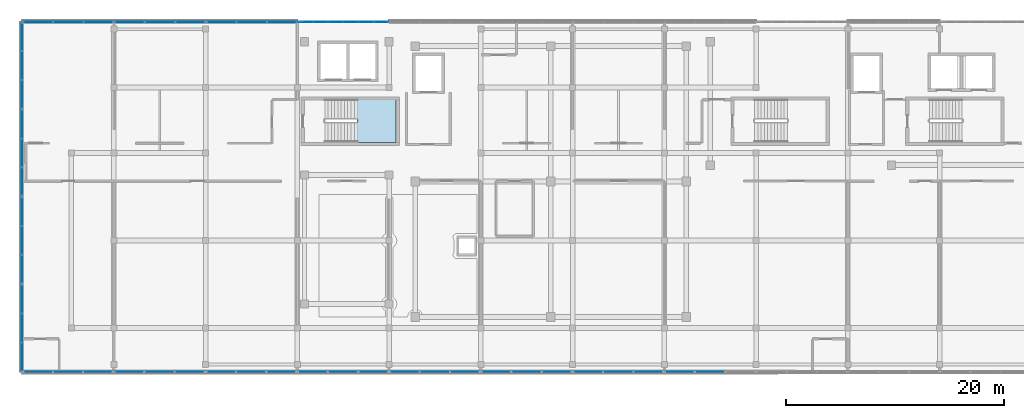
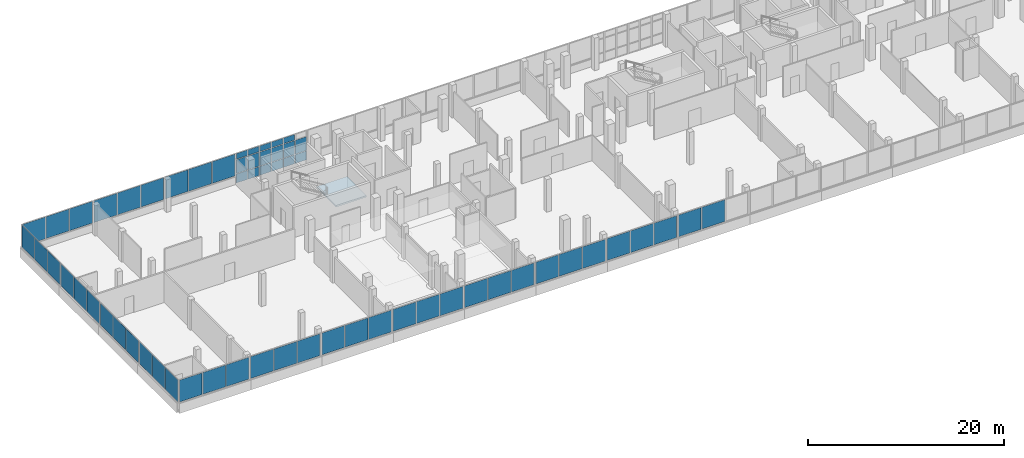
# One storey, part 50 of 66: 61 plates, 1 slab, 17 elements without a shape of their own.
"""IFC4 building model written with IfcOpenShell, lengths in metres."""

from ifc_helpers import new_model, si_unit, direction, frame, origin, origin_2d, place, context, subcontext, project, spatial, polyline, rectangle, outline, extrude, material, layer, layer_set, type_object, element, aggregate, save


model = new_model("IFC4")

# Units and contexts
model_context = context("Model", 3, precision=1e-05, world=origin(), true_north=direction((0.0, 1.0)))
body_context = subcontext(model_context, "Body", "Model", "MODEL_VIEW")
ifc_project = project(units=[si_unit("LENGTHUNIT", "METRE"), si_unit("AREAUNIT", "SQUARE_METRE"), si_unit("VOLUMEUNIT", "CUBIC_METRE"), si_unit("PLANEANGLEUNIT", "RADIAN"), si_unit("MASSUNIT", "GRAM", prefix="KILO")], contexts=[model_context])

# Site, building, storey
site_placement = place(None, origin())
site = spatial("IfcSite", under=ifc_project, at=site_placement, CompositionType="ELEMENT")
building_placement = place(site_placement, origin())
building = spatial("IfcBuilding", under=site, at=building_placement, Name="Selatvlak General Hospital", CompositionType="ELEMENT")
storey_placement = place(building_placement, frame((0.0, 0.0, 31.35009765625)))
storey = spatial("IfcBuildingStorey", under=building, at=storey_placement, Name="L07", CompositionType="ELEMENT", Elevation=31.35009765625)

# Curtain wall, plates
ifc_material_1 = material(Name="Solar-control Low-E double glazing", Category="glass")
curtain_wall_type_1 = type_object("IfcCurtainWallType", Name="CW-CW-01", PredefinedType="USERDEFINED", material=ifc_material_1)
curtain_wall_1_placement = place(storey_placement, origin())
curtain_wall_1 = element("IfcCurtainWall", 1, at=curtain_wall_1_placement, inside=storey, type_object=curtain_wall_type_1, Name="Glazed facade curtain wall CW-L07-0639", ObjectType="UNITISED CURTAIN WALL", PredefinedType="USERDEFINED")
ifc_layer_1 = layer(ifc_material_1, 0.028076171875, Name="Solar-control Low-E double glazing", Category="glass")
ifc_layer_set_1 = layer_set([ifc_layer_1], Name="Solar-control Low-E double glazing")
plate_type = type_object("IfcPlateType", Name="CWP-01", PredefinedType="CURTAIN_PANEL", material=ifc_layer_set_1)
plate_1_placement = place(storey_placement, frame((22.800048828125, 89.359619140625, 1.0048828125), z_axis=(0.0, 0.0, 1.0), x_axis=(0.0, 1.0, 0.0)))
plate_1 = element("IfcPlate", 2, at=plate_1_placement, type_object=plate_type, Name="CW-01 panel 1.1", PredefinedType="CURTAIN_PANEL", context=body_context, shape_type="SweptSolid", body=[
    extrude(rectangle(XDim=2.55908203125, YDim=0.028076171875, at=origin_2d()), origin(), (0.0, 0.0, 1.0), 2.715087890625),
])
plate_2_placement = place(storey_placement, frame((22.800048828125, 92.0, 1.0048828125), z_axis=(0.0, 0.0, 1.0), x_axis=(0.0, 1.0, 0.0)))
plate_2 = element("IfcPlate", 3, at=plate_2_placement, type_object=plate_type, Name="CW-01 panel 2.1", PredefinedType="CURTAIN_PANEL", context=body_context, shape_type="SweptSolid", body=[
    extrude(rectangle(XDim=2.591552734375, YDim=0.028076171875, at=origin_2d()), origin(), (0.0, 0.0, 1.0), 2.715087890625),
])
plate_3_placement = place(storey_placement, frame((22.800048828125, 94.640380859375, 1.0048828125), z_axis=(0.0, 0.0, 1.0), x_axis=(0.0, 1.0, 0.0)))
plate_3 = element("IfcPlate", 4, at=plate_3_placement, type_object=plate_type, Name="CW-01 panel 3.1", PredefinedType="CURTAIN_PANEL", context=body_context, shape_type="SweptSolid", body=[
    extrude(rectangle(XDim=2.55908203125, YDim=0.028076171875, at=origin_2d()), origin(), (0.0, 0.0, 1.0), 2.715087890625),
])
aggregate(curtain_wall_1, [plate_1, plate_2, plate_3])

curtain_wall_type_2 = type_object("IfcCurtainWallType", Name="CW-CW-02", PredefinedType="USERDEFINED", material=ifc_material_1)
curtain_wall_2_placement = place(storey_placement, origin())
curtain_wall_2 = element("IfcCurtainWall", 5, at=curtain_wall_2_placement, inside=storey, type_object=curtain_wall_type_2, Name="Glazed facade curtain wall CW-L07-0640", ObjectType="UNITISED CURTAIN WALL", PredefinedType="USERDEFINED")
plate_4_placement = place(storey_placement, frame((22.800048828125, 97.401123046875, 1.0048828125), z_axis=(0.0, 0.0, 1.0), x_axis=(0.0, 1.0, 0.0)))
plate_4 = element("IfcPlate", 6, at=plate_4_placement, type_object=plate_type, Name="CW-02 panel 1.1", PredefinedType="CURTAIN_PANEL", context=body_context, shape_type="SweptSolid", body=[
    extrude(rectangle(XDim=2.542236328125, YDim=0.028076171875, at=origin_2d()), origin(), (0.0, 0.0, 1.0), 2.715087890625),
])
plate_5_placement = place(storey_placement, frame((22.800048828125, 100.0244140625, 1.0048828125), z_axis=(0.0, 0.0, 1.0), x_axis=(0.0, 1.0, 0.0)))
plate_5 = element("IfcPlate", 7, at=plate_5_placement, type_object=plate_type, Name="CW-02 panel 2.1", PredefinedType="CURTAIN_PANEL", context=body_context, shape_type="SweptSolid", body=[
    extrude(rectangle(XDim=2.57470703125, YDim=0.028076171875, at=origin_2d()), origin(), (0.0, 0.0, 1.0), 2.715087890625),
])
plate_6_placement = place(storey_placement, frame((22.800048828125, 102.64794921875, 1.0048828125), z_axis=(0.0, 0.0, 1.0), x_axis=(0.0, 1.0, 0.0)))
plate_6 = element("IfcPlate", 8, at=plate_6_placement, type_object=plate_type, Name="CW-02 panel 3.1", PredefinedType="CURTAIN_PANEL", context=body_context, shape_type="SweptSolid", body=[
    extrude(rectangle(XDim=2.542236328125, YDim=0.028076171875, at=origin_2d()), origin(), (0.0, 0.0, 1.0), 2.715087890625),
])
aggregate(curtain_wall_2, [plate_4, plate_5, plate_6])

curtain_wall_3_placement = place(storey_placement, origin())
curtain_wall_3 = element("IfcCurtainWall", 9, at=curtain_wall_3_placement, inside=storey, type_object=curtain_wall_type_1, Name="Glazed facade curtain wall CW-L07-0641", ObjectType="UNITISED CURTAIN WALL", PredefinedType="USERDEFINED")
plate_7_placement = place(storey_placement, frame((22.800048828125, 105.400146484375, 1.0048828125), z_axis=(0.0, 0.0, 1.0), x_axis=(0.0, 1.0, 0.0)))
plate_7 = element("IfcPlate", 10, at=plate_7_placement, type_object=plate_type, Name="CW-01 panel 1.1", PredefinedType="CURTAIN_PANEL", context=body_context, shape_type="SweptSolid", body=[
    extrude(rectangle(XDim=2.54248046875, YDim=0.028076171875, at=origin_2d()), origin(), (0.0, 0.0, 1.0), 2.715087890625),
])
plate_8_placement = place(storey_placement, frame((22.800048828125, 108.02392578125, 1.0048828125), z_axis=(0.0, 0.0, 1.0), x_axis=(0.0, 1.0, 0.0)))
plate_8 = element("IfcPlate", 11, at=plate_8_placement, type_object=plate_type, Name="CW-01 panel 2.1", PredefinedType="CURTAIN_PANEL", context=body_context, shape_type="SweptSolid", body=[
    extrude(rectangle(XDim=2.574951171875, YDim=0.028076171875, at=origin_2d()), origin(), (0.0, 0.0, 1.0), 2.715087890625),
])
plate_9_placement = place(storey_placement, frame((22.800048828125, 110.647705078125, 1.0048828125), z_axis=(0.0, 0.0, 1.0), x_axis=(0.0, 1.0, 0.0)))
plate_9 = element("IfcPlate", 12, at=plate_9_placement, type_object=plate_type, Name="CW-01 panel 3.1", PredefinedType="CURTAIN_PANEL", context=body_context, shape_type="SweptSolid", body=[
    extrude(rectangle(XDim=2.54248046875, YDim=0.028076171875, at=origin_2d()), origin(), (0.0, 0.0, 1.0), 2.715087890625),
])
aggregate(curtain_wall_3, [plate_7, plate_8, plate_9])

curtain_wall_4_placement = place(storey_placement, origin())
curtain_wall_4 = element("IfcCurtainWall", 13, at=curtain_wall_4_placement, inside=storey, type_object=curtain_wall_type_2, Name="Glazed facade curtain wall CW-L07-0642", ObjectType="UNITISED CURTAIN WALL", PredefinedType="USERDEFINED")
plate_10_placement = place(storey_placement, frame((22.800048828125, 113.400146484375, 1.0048828125), z_axis=(0.0, 0.0, 1.0), x_axis=(0.0, 1.0, 0.0)))
plate_10 = element("IfcPlate", 14, at=plate_10_placement, type_object=plate_type, Name="CW-02 panel 1.1", PredefinedType="CURTAIN_PANEL", context=body_context, shape_type="SweptSolid", body=[
    extrude(rectangle(XDim=2.54248046875, YDim=0.028076171875, at=origin_2d()), origin(), (0.0, 0.0, 1.0), 2.715087890625),
])
plate_11_placement = place(storey_placement, frame((22.800048828125, 116.02392578125, 1.0048828125), z_axis=(0.0, 0.0, 1.0), x_axis=(0.0, 1.0, 0.0)))
plate_11 = element("IfcPlate", 15, at=plate_11_placement, type_object=plate_type, Name="CW-02 panel 2.1", PredefinedType="CURTAIN_PANEL", context=body_context, shape_type="SweptSolid", body=[
    extrude(rectangle(XDim=2.574951171875, YDim=0.028076171875, at=origin_2d()), origin(), (0.0, 0.0, 1.0), 2.715087890625),
])
plate_12_placement = place(storey_placement, frame((22.800048828125, 118.647705078125, 1.0048828125), z_axis=(0.0, 0.0, 1.0), x_axis=(0.0, 1.0, 0.0)))
plate_12 = element("IfcPlate", 16, at=plate_12_placement, type_object=plate_type, Name="CW-02 panel 3.1", PredefinedType="CURTAIN_PANEL", context=body_context, shape_type="SweptSolid", body=[
    extrude(rectangle(XDim=2.54248046875, YDim=0.028076171875, at=origin_2d()), origin(), (0.0, 0.0, 1.0), 2.715087890625),
])
aggregate(curtain_wall_4, [plate_10, plate_11, plate_12])

curtain_wall_5_placement = place(storey_placement, origin())
curtain_wall_5 = element("IfcCurtainWall", 17, at=curtain_wall_5_placement, inside=storey, type_object=curtain_wall_type_1, Name="Glazed facade curtain wall CW-L07-0643", ObjectType="UNITISED CURTAIN WALL", PredefinedType="USERDEFINED")
plate_13_placement = place(storey_placement, frame((24.267822265625, 119.9990234375, 1.0048828125), z_axis=(0.0, 0.0, 1.0), x_axis=(1.0, 0.0, 0.0)))
plate_13 = element("IfcPlate", 18, at=plate_13_placement, type_object=plate_type, Name="CW-01 panel 1.1", PredefinedType="CURTAIN_PANEL", context=body_context, shape_type="SweptSolid", body=[
    extrude(rectangle(XDim=2.67578125, YDim=0.028076171875, at=origin_2d()), origin(), (0.0, 0.0, 1.0), 2.715087890625),
])
plate_14_placement = place(storey_placement, frame((27.02490234375, 119.9990234375, 1.0048828125), z_axis=(0.0, 0.0, 1.0), x_axis=(1.0, 0.0, 0.0)))
plate_14 = element("IfcPlate", 19, at=plate_14_placement, type_object=plate_type, Name="CW-01 panel 2.1", PredefinedType="CURTAIN_PANEL", context=body_context, shape_type="SweptSolid", body=[
    extrude(rectangle(XDim=2.708251953125, YDim=0.028076171875, at=origin_2d()), origin(), (0.0, 0.0, 1.0), 2.715087890625),
])
plate_15_placement = place(storey_placement, frame((29.781982421875, 119.9990234375, 1.0048828125), z_axis=(0.0, 0.0, 1.0), x_axis=(1.0, 0.0, 0.0)))
plate_15 = element("IfcPlate", 20, at=plate_15_placement, type_object=plate_type, Name="CW-01 panel 3.1", PredefinedType="CURTAIN_PANEL", context=body_context, shape_type="SweptSolid", body=[
    extrude(rectangle(XDim=2.67578125, YDim=0.028076171875, at=origin_2d()), origin(), (0.0, 0.0, 1.0), 2.715087890625),
])
aggregate(curtain_wall_5, [plate_13, plate_14, plate_15])

curtain_wall_6_placement = place(storey_placement, origin())
curtain_wall_6 = element("IfcCurtainWall", 21, at=curtain_wall_6_placement, inside=storey, type_object=curtain_wall_type_2, Name="Glazed facade curtain wall CW-L07-0644", ObjectType="UNITISED CURTAIN WALL", PredefinedType="USERDEFINED")
plate_16_placement = place(storey_placement, frame((32.66796875, 119.9990234375, 1.0048828125), z_axis=(0.0, 0.0, 1.0), x_axis=(1.0, 0.0, 0.0)))
plate_16 = element("IfcPlate", 22, at=plate_16_placement, type_object=plate_type, Name="CW-02 panel 1.1", PredefinedType="CURTAIN_PANEL", context=body_context, shape_type="SweptSolid", body=[
    extrude(rectangle(XDim=2.67578125, YDim=0.028076171875, at=origin_2d()), origin(), (0.0, 0.0, 1.0), 2.715087890625),
])
plate_17_placement = place(storey_placement, frame((35.425048828125, 119.9990234375, 1.0048828125), z_axis=(0.0, 0.0, 1.0), x_axis=(1.0, 0.0, 0.0)))
plate_17 = element("IfcPlate", 23, at=plate_17_placement, type_object=plate_type, Name="CW-02 panel 2.1", PredefinedType="CURTAIN_PANEL", context=body_context, shape_type="SweptSolid", body=[
    extrude(rectangle(XDim=2.708251953125, YDim=0.028076171875, at=origin_2d()), origin(), (0.0, 0.0, 1.0), 2.715087890625),
])
plate_18_placement = place(storey_placement, frame((38.18212890625, 119.9990234375, 1.0048828125), z_axis=(0.0, 0.0, 1.0), x_axis=(1.0, 0.0, 0.0)))
plate_18 = element("IfcPlate", 24, at=plate_18_placement, type_object=plate_type, Name="CW-02 panel 3.1", PredefinedType="CURTAIN_PANEL", context=body_context, shape_type="SweptSolid", body=[
    extrude(rectangle(XDim=2.67578125, YDim=0.028076171875, at=origin_2d()), origin(), (0.0, 0.0, 1.0), 2.715087890625),
])
aggregate(curtain_wall_6, [plate_16, plate_17, plate_18])

curtain_wall_7_placement = place(storey_placement, origin())
curtain_wall_7 = element("IfcCurtainWall", 25, at=curtain_wall_7_placement, inside=storey, type_object=curtain_wall_type_1, Name="Glazed facade curtain wall CW-L07-0645", ObjectType="UNITISED CURTAIN WALL", PredefinedType="USERDEFINED")
plate_19_placement = place(storey_placement, frame((41.06787109375, 119.9990234375, 1.0048828125), z_axis=(0.0, 0.0, 1.0), x_axis=(1.0, 0.0, 0.0)))
plate_19 = element("IfcPlate", 26, at=plate_19_placement, type_object=plate_type, Name="CW-01 panel 1.1", PredefinedType="CURTAIN_PANEL", context=body_context, shape_type="SweptSolid", body=[
    extrude(rectangle(XDim=2.67578125, YDim=0.028076171875, at=origin_2d()), origin(), (0.0, 0.0, 1.0), 2.715087890625),
])
plate_20_placement = place(storey_placement, frame((43.824951171875, 119.9990234375, 1.0048828125), z_axis=(0.0, 0.0, 1.0), x_axis=(1.0, 0.0, 0.0)))
plate_20 = element("IfcPlate", 27, at=plate_20_placement, type_object=plate_type, Name="CW-01 panel 2.1", PredefinedType="CURTAIN_PANEL", context=body_context, shape_type="SweptSolid", body=[
    extrude(rectangle(XDim=2.708251953125, YDim=0.028076171875, at=origin_2d()), origin(), (0.0, 0.0, 1.0), 2.715087890625),
])
plate_21_placement = place(storey_placement, frame((46.58203125, 119.9990234375, 1.0048828125), z_axis=(0.0, 0.0, 1.0), x_axis=(1.0, 0.0, 0.0)))
plate_21 = element("IfcPlate", 28, at=plate_21_placement, type_object=plate_type, Name="CW-01 panel 3.1", PredefinedType="CURTAIN_PANEL", context=body_context, shape_type="SweptSolid", body=[
    extrude(rectangle(XDim=2.67578125, YDim=0.028076171875, at=origin_2d()), origin(), (0.0, 0.0, 1.0), 2.715087890625),
])
aggregate(curtain_wall_7, [plate_19, plate_20, plate_21])

curtain_wall_type_3 = type_object("IfcCurtainWallType", Name="CW-CW-04", PredefinedType="USERDEFINED", material=ifc_material_1)
curtain_wall_8_placement = place(storey_placement, origin())
curtain_wall_8 = element("IfcCurtainWall", 29, at=curtain_wall_8_placement, inside=storey, type_object=curtain_wall_type_3, Name="Glazed facade curtain wall CW-L07-0646", ObjectType="STICK GLAZING WALL", PredefinedType="USERDEFINED")
plate_22_placement = place(storey_placement, frame((48.728759765625, 119.9990234375, 0.06494140625), z_axis=(0.0, 0.0, 1.0), x_axis=(1.0, 0.0, 0.0)))
plate_22 = element("IfcPlate", 30, at=plate_22_placement, type_object=plate_type, Name="CW-04 panel 1.1", PredefinedType="CURTAIN_PANEL", context=body_context, shape_type="SweptSolid", body=[
    extrude(rectangle(XDim=1.297607421875, YDim=0.028076171875, at=origin_2d()), origin(), (0.0, 0.0, 1.0), 1.1025390625),
])
plate_23_placement = place(storey_placement, frame((48.728759765625, 119.9990234375, 1.232421875), z_axis=(0.0, 0.0, 1.0), x_axis=(1.0, 0.0, 0.0)))
plate_23 = element("IfcPlate", 31, at=plate_23_placement, type_object=plate_type, Name="CW-04 panel 1.2", PredefinedType="CURTAIN_PANEL", context=body_context, shape_type="SweptSolid", body=[
    extrude(rectangle(XDim=1.297607421875, YDim=0.028076171875, at=origin_2d()), origin(), (0.0, 0.0, 1.0), 1.719970703125),
])
plate_24_placement = place(storey_placement, frame((48.728759765625, 119.9990234375, 3.017578125), z_axis=(0.0, 0.0, 1.0), x_axis=(1.0, 0.0, 0.0)))
plate_24 = element("IfcPlate", 32, at=plate_24_placement, type_object=plate_type, Name="CW-04 panel 1.3", PredefinedType="CURTAIN_PANEL", context=body_context, shape_type="SweptSolid", body=[
    extrude(rectangle(XDim=1.297607421875, YDim=0.028076171875, at=origin_2d()), origin(), (0.0, 0.0, 1.0), 0.702392578125),
])
plate_25_placement = place(storey_placement, frame((50.107421875, 119.9990234375, 0.06494140625), z_axis=(0.0, 0.0, 1.0), x_axis=(1.0, 0.0, 0.0)))
plate_25 = element("IfcPlate", 33, at=plate_25_placement, type_object=plate_type, Name="CW-04 panel 2.1", PredefinedType="CURTAIN_PANEL", context=body_context, shape_type="SweptSolid", body=[
    extrude(rectangle(XDim=1.330078125, YDim=0.028076171875, at=origin_2d()), origin(), (0.0, 0.0, 1.0), 1.1025390625),
])
plate_26_placement = place(storey_placement, frame((50.107421875, 119.9990234375, 1.232421875), z_axis=(0.0, 0.0, 1.0), x_axis=(1.0, 0.0, 0.0)))
plate_26 = element("IfcPlate", 34, at=plate_26_placement, type_object=plate_type, Name="CW-04 panel 2.2", PredefinedType="CURTAIN_PANEL", context=body_context, shape_type="SweptSolid", body=[
    extrude(rectangle(XDim=1.330078125, YDim=0.028076171875, at=origin_2d()), origin(), (0.0, 0.0, 1.0), 1.719970703125),
])
plate_27_placement = place(storey_placement, frame((50.107421875, 119.9990234375, 3.017578125), z_axis=(0.0, 0.0, 1.0), x_axis=(1.0, 0.0, 0.0)))
plate_27 = element("IfcPlate", 35, at=plate_27_placement, type_object=plate_type, Name="CW-04 panel 2.3", PredefinedType="CURTAIN_PANEL", context=body_context, shape_type="SweptSolid", body=[
    extrude(rectangle(XDim=1.330078125, YDim=0.028076171875, at=origin_2d()), origin(), (0.0, 0.0, 1.0), 0.702392578125),
])
plate_28_placement = place(storey_placement, frame((51.50244140625, 119.9990234375, 0.06494140625), z_axis=(0.0, 0.0, 1.0), x_axis=(1.0, 0.0, 0.0)))
plate_28 = element("IfcPlate", 36, at=plate_28_placement, type_object=plate_type, Name="CW-04 panel 3.1", PredefinedType="CURTAIN_PANEL", context=body_context, shape_type="SweptSolid", body=[
    extrude(rectangle(XDim=1.330078125, YDim=0.028076171875, at=origin_2d()), origin(), (0.0, 0.0, 1.0), 1.1025390625),
])
plate_29_placement = place(storey_placement, frame((51.50244140625, 119.9990234375, 1.232421875), z_axis=(0.0, 0.0, 1.0), x_axis=(1.0, 0.0, 0.0)))
plate_29 = element("IfcPlate", 37, at=plate_29_placement, type_object=plate_type, Name="CW-04 panel 3.2", PredefinedType="CURTAIN_PANEL", context=body_context, shape_type="SweptSolid", body=[
    extrude(rectangle(XDim=1.330078125, YDim=0.028076171875, at=origin_2d()), origin(), (0.0, 0.0, 1.0), 1.719970703125),
])
plate_30_placement = place(storey_placement, frame((51.50244140625, 119.9990234375, 3.017578125), z_axis=(0.0, 0.0, 1.0), x_axis=(1.0, 0.0, 0.0)))
plate_30 = element("IfcPlate", 38, at=plate_30_placement, type_object=plate_type, Name="CW-04 panel 3.3", PredefinedType="CURTAIN_PANEL", context=body_context, shape_type="SweptSolid", body=[
    extrude(rectangle(XDim=1.330078125, YDim=0.028076171875, at=origin_2d()), origin(), (0.0, 0.0, 1.0), 0.702392578125),
])
plate_31_placement = place(storey_placement, frame((52.8974609375, 119.9990234375, 0.06494140625), z_axis=(0.0, 0.0, 1.0), x_axis=(1.0, 0.0, 0.0)))
plate_31 = element("IfcPlate", 39, at=plate_31_placement, type_object=plate_type, Name="CW-04 panel 4.1", PredefinedType="CURTAIN_PANEL", context=body_context, shape_type="SweptSolid", body=[
    extrude(rectangle(XDim=1.330078125, YDim=0.028076171875, at=origin_2d()), origin(), (0.0, 0.0, 1.0), 1.1025390625),
])
plate_32_placement = place(storey_placement, frame((52.8974609375, 119.9990234375, 1.232421875), z_axis=(0.0, 0.0, 1.0), x_axis=(1.0, 0.0, 0.0)))
plate_32 = element("IfcPlate", 40, at=plate_32_placement, type_object=plate_type, Name="CW-04 panel 4.2", PredefinedType="CURTAIN_PANEL", context=body_context, shape_type="SweptSolid", body=[
    extrude(rectangle(XDim=1.330078125, YDim=0.028076171875, at=origin_2d()), origin(), (0.0, 0.0, 1.0), 1.719970703125),
])
plate_33_placement = place(storey_placement, frame((52.8974609375, 119.9990234375, 3.017578125), z_axis=(0.0, 0.0, 1.0), x_axis=(1.0, 0.0, 0.0)))
plate_33 = element("IfcPlate", 41, at=plate_33_placement, type_object=plate_type, Name="CW-04 panel 4.3", PredefinedType="CURTAIN_PANEL", context=body_context, shape_type="SweptSolid", body=[
    extrude(rectangle(XDim=1.330078125, YDim=0.028076171875, at=origin_2d()), origin(), (0.0, 0.0, 1.0), 0.702392578125),
])
plate_34_placement = place(storey_placement, frame((54.29248046875, 119.9990234375, 0.06494140625), z_axis=(0.0, 0.0, 1.0), x_axis=(1.0, 0.0, 0.0)))
plate_34 = element("IfcPlate", 42, at=plate_34_placement, type_object=plate_type, Name="CW-04 panel 5.1", PredefinedType="CURTAIN_PANEL", context=body_context, shape_type="SweptSolid", body=[
    extrude(rectangle(XDim=1.330078125, YDim=0.028076171875, at=origin_2d()), origin(), (0.0, 0.0, 1.0), 1.1025390625),
])
plate_35_placement = place(storey_placement, frame((54.29248046875, 119.9990234375, 1.232421875), z_axis=(0.0, 0.0, 1.0), x_axis=(1.0, 0.0, 0.0)))
plate_35 = element("IfcPlate", 43, at=plate_35_placement, type_object=plate_type, Name="CW-04 panel 5.2", PredefinedType="CURTAIN_PANEL", context=body_context, shape_type="SweptSolid", body=[
    extrude(rectangle(XDim=1.330078125, YDim=0.028076171875, at=origin_2d()), origin(), (0.0, 0.0, 1.0), 1.719970703125),
])
plate_36_placement = place(storey_placement, frame((54.29248046875, 119.9990234375, 3.017578125), z_axis=(0.0, 0.0, 1.0), x_axis=(1.0, 0.0, 0.0)))
plate_36 = element("IfcPlate", 44, at=plate_36_placement, type_object=plate_type, Name="CW-04 panel 5.3", PredefinedType="CURTAIN_PANEL", context=body_context, shape_type="SweptSolid", body=[
    extrude(rectangle(XDim=1.330078125, YDim=0.028076171875, at=origin_2d()), origin(), (0.0, 0.0, 1.0), 0.702392578125),
])
plate_37_placement = place(storey_placement, frame((55.671142578125, 119.9990234375, 0.06494140625), z_axis=(0.0, 0.0, 1.0), x_axis=(1.0, 0.0, 0.0)))
plate_37 = element("IfcPlate", 45, at=plate_37_placement, type_object=plate_type, Name="CW-04 panel 6.1", PredefinedType="CURTAIN_PANEL", context=body_context, shape_type="SweptSolid", body=[
    extrude(rectangle(XDim=1.297607421875, YDim=0.028076171875, at=origin_2d()), origin(), (0.0, 0.0, 1.0), 1.1025390625),
])
plate_38_placement = place(storey_placement, frame((55.671142578125, 119.9990234375, 1.232421875), z_axis=(0.0, 0.0, 1.0), x_axis=(1.0, 0.0, 0.0)))
plate_38 = element("IfcPlate", 46, at=plate_38_placement, type_object=plate_type, Name="CW-04 panel 6.2", PredefinedType="CURTAIN_PANEL", context=body_context, shape_type="SweptSolid", body=[
    extrude(rectangle(XDim=1.297607421875, YDim=0.028076171875, at=origin_2d()), origin(), (0.0, 0.0, 1.0), 1.719970703125),
])
aggregate(curtain_wall_8, [plate_22, plate_23, plate_24, plate_25, plate_26, plate_27, plate_28, plate_29, plate_30, plate_31, plate_32, plate_33, plate_34, plate_35, plate_36, plate_37, plate_38])

curtain_wall_9_placement = place(storey_placement, origin())
curtain_wall_9 = element("IfcCurtainWall", 47, at=curtain_wall_9_placement, inside=storey, type_object=curtain_wall_type_2, Name="Glazed facade curtain wall CW-L07-0672", ObjectType="UNITISED CURTAIN WALL", PredefinedType="USERDEFINED")
plate_39_placement = place(storey_placement, frame((85.77490234375, 88.0, 1.0048828125), z_axis=(0.0, 0.0, 1.0), x_axis=(-1.0, 0.0, 0.0)))
plate_39 = element("IfcPlate", 48, at=plate_39_placement, type_object=plate_type, Name="CW-02 panel 2.1", PredefinedType="CURTAIN_PANEL", context=body_context, shape_type="SweptSolid", body=[
    extrude(rectangle(XDim=2.708251953125, YDim=0.028076171875, at=origin_2d()), origin(), (0.0, 0.0, 1.0), 2.715087890625),
])
plate_40_placement = place(storey_placement, frame((83.017822265625, 88.0, 1.0048828125), z_axis=(0.0, 0.0, 1.0), x_axis=(-1.0, 0.0, 0.0)))
plate_40 = element("IfcPlate", 49, at=plate_40_placement, type_object=plate_type, Name="CW-02 panel 3.1", PredefinedType="CURTAIN_PANEL", context=body_context, shape_type="SweptSolid", body=[
    extrude(rectangle(XDim=2.67578125, YDim=0.028076171875, at=origin_2d()), origin(), (0.0, 0.0, 1.0), 2.715087890625),
])
aggregate(curtain_wall_9, [plate_39, plate_40])

curtain_wall_10_placement = place(storey_placement, origin())
curtain_wall_10 = element("IfcCurtainWall", 50, at=curtain_wall_10_placement, inside=storey, type_object=curtain_wall_type_1, Name="Glazed facade curtain wall CW-L07-0673", ObjectType="UNITISED CURTAIN WALL", PredefinedType="USERDEFINED")
plate_41_placement = place(storey_placement, frame((80.132080078125, 88.0, 1.0048828125), z_axis=(0.0, 0.0, 1.0), x_axis=(-1.0, 0.0, 0.0)))
plate_41 = element("IfcPlate", 51, at=plate_41_placement, type_object=plate_type, Name="CW-01 panel 1.1", PredefinedType="CURTAIN_PANEL", context=body_context, shape_type="SweptSolid", body=[
    extrude(rectangle(XDim=2.67578125, YDim=0.028076171875, at=origin_2d()), origin(), (0.0, 0.0, 1.0), 2.715087890625),
])
plate_42_placement = place(storey_placement, frame((77.375, 88.0, 1.0048828125), z_axis=(0.0, 0.0, 1.0), x_axis=(-1.0, 0.0, 0.0)))
plate_42 = element("IfcPlate", 52, at=plate_42_placement, type_object=plate_type, Name="CW-01 panel 2.1", PredefinedType="CURTAIN_PANEL", context=body_context, shape_type="SweptSolid", body=[
    extrude(rectangle(XDim=2.708251953125, YDim=0.028076171875, at=origin_2d()), origin(), (0.0, 0.0, 1.0), 2.715087890625),
])
plate_43_placement = place(storey_placement, frame((74.617919921875, 88.0, 1.0048828125), z_axis=(0.0, 0.0, 1.0), x_axis=(-1.0, 0.0, 0.0)))
plate_43 = element("IfcPlate", 53, at=plate_43_placement, type_object=plate_type, Name="CW-01 panel 3.1", PredefinedType="CURTAIN_PANEL", context=body_context, shape_type="SweptSolid", body=[
    extrude(rectangle(XDim=2.67578125, YDim=0.028076171875, at=origin_2d()), origin(), (0.0, 0.0, 1.0), 2.715087890625),
])
aggregate(curtain_wall_10, [plate_41, plate_42, plate_43])

curtain_wall_11_placement = place(storey_placement, origin())
curtain_wall_11 = element("IfcCurtainWall", 54, at=curtain_wall_11_placement, inside=storey, type_object=curtain_wall_type_2, Name="Glazed facade curtain wall CW-L07-0674", ObjectType="UNITISED CURTAIN WALL", PredefinedType="USERDEFINED")
plate_44_placement = place(storey_placement, frame((71.732177734375, 88.0, 1.0048828125), z_axis=(0.0, 0.0, 1.0), x_axis=(-1.0, 0.0, 0.0)))
plate_44 = element("IfcPlate", 55, at=plate_44_placement, type_object=plate_type, Name="CW-02 panel 1.1", PredefinedType="CURTAIN_PANEL", context=body_context, shape_type="SweptSolid", body=[
    extrude(rectangle(XDim=2.67578125, YDim=0.028076171875, at=origin_2d()), origin(), (0.0, 0.0, 1.0), 2.715087890625),
])
plate_45_placement = place(storey_placement, frame((68.97509765625, 88.0, 1.0048828125), z_axis=(0.0, 0.0, 1.0), x_axis=(-1.0, 0.0, 0.0)))
plate_45 = element("IfcPlate", 56, at=plate_45_placement, type_object=plate_type, Name="CW-02 panel 2.1", PredefinedType="CURTAIN_PANEL", context=body_context, shape_type="SweptSolid", body=[
    extrude(rectangle(XDim=2.708251953125, YDim=0.028076171875, at=origin_2d()), origin(), (0.0, 0.0, 1.0), 2.715087890625),
])
plate_46_placement = place(storey_placement, frame((66.218017578125, 88.0, 1.0048828125), z_axis=(0.0, 0.0, 1.0), x_axis=(-1.0, 0.0, 0.0)))
plate_46 = element("IfcPlate", 57, at=plate_46_placement, type_object=plate_type, Name="CW-02 panel 3.1", PredefinedType="CURTAIN_PANEL", context=body_context, shape_type="SweptSolid", body=[
    extrude(rectangle(XDim=2.67578125, YDim=0.028076171875, at=origin_2d()), origin(), (0.0, 0.0, 1.0), 2.715087890625),
])
aggregate(curtain_wall_11, [plate_44, plate_45, plate_46])

curtain_wall_12_placement = place(storey_placement, origin())
curtain_wall_12 = element("IfcCurtainWall", 58, at=curtain_wall_12_placement, inside=storey, type_object=curtain_wall_type_1, Name="Glazed facade curtain wall CW-L07-0675", ObjectType="UNITISED CURTAIN WALL", PredefinedType="USERDEFINED")
plate_47_placement = place(storey_placement, frame((63.33203125, 88.0, 1.0048828125), z_axis=(0.0, 0.0, 1.0), x_axis=(-1.0, 0.0, 0.0)))
plate_47 = element("IfcPlate", 59, at=plate_47_placement, type_object=plate_type, Name="CW-01 panel 1.1", PredefinedType="CURTAIN_PANEL", context=body_context, shape_type="SweptSolid", body=[
    extrude(rectangle(XDim=2.67578125, YDim=0.028076171875, at=origin_2d()), origin(), (0.0, 0.0, 1.0), 2.715087890625),
])
plate_48_placement = place(storey_placement, frame((60.574951171875, 88.0, 1.0048828125), z_axis=(0.0, 0.0, 1.0), x_axis=(-1.0, 0.0, 0.0)))
plate_48 = element("IfcPlate", 60, at=plate_48_placement, type_object=plate_type, Name="CW-01 panel 2.1", PredefinedType="CURTAIN_PANEL", context=body_context, shape_type="SweptSolid", body=[
    extrude(rectangle(XDim=2.708251953125, YDim=0.028076171875, at=origin_2d()), origin(), (0.0, 0.0, 1.0), 2.715087890625),
])
plate_49_placement = place(storey_placement, frame((57.81787109375, 88.0, 1.0048828125), z_axis=(0.0, 0.0, 1.0), x_axis=(-1.0, 0.0, 0.0)))
plate_49 = element("IfcPlate", 61, at=plate_49_placement, type_object=plate_type, Name="CW-01 panel 3.1", PredefinedType="CURTAIN_PANEL", context=body_context, shape_type="SweptSolid", body=[
    extrude(rectangle(XDim=2.67578125, YDim=0.028076171875, at=origin_2d()), origin(), (0.0, 0.0, 1.0), 2.715087890625),
])
aggregate(curtain_wall_12, [plate_47, plate_48, plate_49])

curtain_wall_13_placement = place(storey_placement, origin())
curtain_wall_13 = element("IfcCurtainWall", 62, at=curtain_wall_13_placement, inside=storey, type_object=curtain_wall_type_2, Name="Glazed facade curtain wall CW-L07-0676", ObjectType="UNITISED CURTAIN WALL", PredefinedType="USERDEFINED")
plate_50_placement = place(storey_placement, frame((54.93212890625, 88.0, 1.0048828125), z_axis=(0.0, 0.0, 1.0), x_axis=(-1.0, 0.0, 0.0)))
plate_50 = element("IfcPlate", 63, at=plate_50_placement, type_object=plate_type, Name="CW-02 panel 1.1", PredefinedType="CURTAIN_PANEL", context=body_context, shape_type="SweptSolid", body=[
    extrude(rectangle(XDim=2.67578125, YDim=0.028076171875, at=origin_2d()), origin(), (0.0, 0.0, 1.0), 2.715087890625),
])
plate_51_placement = place(storey_placement, frame((52.175048828125, 88.0, 1.0048828125), z_axis=(0.0, 0.0, 1.0), x_axis=(-1.0, 0.0, 0.0)))
plate_51 = element("IfcPlate", 64, at=plate_51_placement, type_object=plate_type, Name="CW-02 panel 2.1", PredefinedType="CURTAIN_PANEL", context=body_context, shape_type="SweptSolid", body=[
    extrude(rectangle(XDim=2.708251953125, YDim=0.028076171875, at=origin_2d()), origin(), (0.0, 0.0, 1.0), 2.715087890625),
])
plate_52_placement = place(storey_placement, frame((49.41796875, 88.0, 1.0048828125), z_axis=(0.0, 0.0, 1.0), x_axis=(-1.0, 0.0, 0.0)))
plate_52 = element("IfcPlate", 65, at=plate_52_placement, type_object=plate_type, Name="CW-02 panel 3.1", PredefinedType="CURTAIN_PANEL", context=body_context, shape_type="SweptSolid", body=[
    extrude(rectangle(XDim=2.67578125, YDim=0.028076171875, at=origin_2d()), origin(), (0.0, 0.0, 1.0), 2.715087890625),
])
aggregate(curtain_wall_13, [plate_50, plate_51, plate_52])

curtain_wall_14_placement = place(storey_placement, origin())
curtain_wall_14 = element("IfcCurtainWall", 66, at=curtain_wall_14_placement, inside=storey, type_object=curtain_wall_type_1, Name="Glazed facade curtain wall CW-L07-0677", ObjectType="UNITISED CURTAIN WALL", PredefinedType="USERDEFINED")
plate_53_placement = place(storey_placement, frame((46.531982421875, 88.0, 1.0048828125), z_axis=(0.0, 0.0, 1.0), x_axis=(-1.0, 0.0, 0.0)))
plate_53 = element("IfcPlate", 67, at=plate_53_placement, type_object=plate_type, Name="CW-01 panel 1.1", PredefinedType="CURTAIN_PANEL", context=body_context, shape_type="SweptSolid", body=[
    extrude(rectangle(XDim=2.67578125, YDim=0.028076171875, at=origin_2d()), origin(), (0.0, 0.0, 1.0), 2.715087890625),
])
plate_54_placement = place(storey_placement, frame((43.77490234375, 88.0, 1.0048828125), z_axis=(0.0, 0.0, 1.0), x_axis=(-1.0, 0.0, 0.0)))
plate_54 = element("IfcPlate", 68, at=plate_54_placement, type_object=plate_type, Name="CW-01 panel 2.1", PredefinedType="CURTAIN_PANEL", context=body_context, shape_type="SweptSolid", body=[
    extrude(rectangle(XDim=2.708251953125, YDim=0.028076171875, at=origin_2d()), origin(), (0.0, 0.0, 1.0), 2.715087890625),
])
plate_55_placement = place(storey_placement, frame((41.017822265625, 88.0, 1.0048828125), z_axis=(0.0, 0.0, 1.0), x_axis=(-1.0, 0.0, 0.0)))
plate_55 = element("IfcPlate", 69, at=plate_55_placement, type_object=plate_type, Name="CW-01 panel 3.1", PredefinedType="CURTAIN_PANEL", context=body_context, shape_type="SweptSolid", body=[
    extrude(rectangle(XDim=2.67578125, YDim=0.028076171875, at=origin_2d()), origin(), (0.0, 0.0, 1.0), 2.715087890625),
])
aggregate(curtain_wall_14, [plate_53, plate_54, plate_55])

curtain_wall_15_placement = place(storey_placement, origin())
curtain_wall_15 = element("IfcCurtainWall", 70, at=curtain_wall_15_placement, inside=storey, type_object=curtain_wall_type_2, Name="Glazed facade curtain wall CW-L07-0678", ObjectType="UNITISED CURTAIN WALL", PredefinedType="USERDEFINED")
plate_56_placement = place(storey_placement, frame((38.132080078125, 88.0, 1.0048828125), z_axis=(0.0, 0.0, 1.0), x_axis=(-1.0, 0.0, 0.0)))
plate_56 = element("IfcPlate", 71, at=plate_56_placement, type_object=plate_type, Name="CW-02 panel 1.1", PredefinedType="CURTAIN_PANEL", context=body_context, shape_type="SweptSolid", body=[
    extrude(rectangle(XDim=2.67578125, YDim=0.028076171875, at=origin_2d()), origin(), (0.0, 0.0, 1.0), 2.715087890625),
])
plate_57_placement = place(storey_placement, frame((35.375, 88.0, 1.0048828125), z_axis=(0.0, 0.0, 1.0), x_axis=(-1.0, 0.0, 0.0)))
plate_57 = element("IfcPlate", 72, at=plate_57_placement, type_object=plate_type, Name="CW-02 panel 2.1", PredefinedType="CURTAIN_PANEL", context=body_context, shape_type="SweptSolid", body=[
    extrude(rectangle(XDim=2.708251953125, YDim=0.028076171875, at=origin_2d()), origin(), (0.0, 0.0, 1.0), 2.715087890625),
])
plate_58_placement = place(storey_placement, frame((32.617919921875, 88.0, 1.0048828125), z_axis=(0.0, 0.0, 1.0), x_axis=(-1.0, 0.0, 0.0)))
plate_58 = element("IfcPlate", 73, at=plate_58_placement, type_object=plate_type, Name="CW-02 panel 3.1", PredefinedType="CURTAIN_PANEL", context=body_context, shape_type="SweptSolid", body=[
    extrude(rectangle(XDim=2.67578125, YDim=0.028076171875, at=origin_2d()), origin(), (0.0, 0.0, 1.0), 2.715087890625),
])
aggregate(curtain_wall_15, [plate_56, plate_57, plate_58])

curtain_wall_16_placement = place(storey_placement, origin())
curtain_wall_16 = element("IfcCurtainWall", 74, at=curtain_wall_16_placement, inside=storey, type_object=curtain_wall_type_1, Name="Glazed facade curtain wall CW-L07-0679", ObjectType="UNITISED CURTAIN WALL", PredefinedType="USERDEFINED")
plate_59_placement = place(storey_placement, frame((29.740478515625, 88.0, 1.0048828125), z_axis=(0.0, 0.0, 1.0), x_axis=(-1.0, 0.0, 0.0)))
plate_59 = element("IfcPlate", 75, at=plate_59_placement, type_object=plate_type, Name="CW-01 panel 1.1", PredefinedType="CURTAIN_PANEL", context=body_context, shape_type="SweptSolid", body=[
    extrude(rectangle(XDim=2.6591796875, YDim=0.028076171875, at=origin_2d()), origin(), (0.0, 0.0, 1.0), 2.715087890625),
])
plate_60_placement = place(storey_placement, frame((27.0, 88.0, 1.0048828125), z_axis=(0.0, 0.0, 1.0), x_axis=(-1.0, 0.0, 0.0)))
plate_60 = element("IfcPlate", 76, at=plate_60_placement, type_object=plate_type, Name="CW-01 panel 2.1", PredefinedType="CURTAIN_PANEL", context=body_context, shape_type="SweptSolid", body=[
    extrude(rectangle(XDim=2.691650390625, YDim=0.028076171875, at=origin_2d()), origin(), (0.0, 0.0, 1.0), 2.715087890625),
])
plate_61_placement = place(storey_placement, frame((24.259521484375, 88.0, 1.0048828125), z_axis=(0.0, 0.0, 1.0), x_axis=(-1.0, 0.0, 0.0)))
plate_61 = element("IfcPlate", 77, at=plate_61_placement, type_object=plate_type, Name="CW-01 panel 3.1", PredefinedType="CURTAIN_PANEL", context=body_context, shape_type="SweptSolid", body=[
    extrude(rectangle(XDim=2.6591796875, YDim=0.028076171875, at=origin_2d()), origin(), (0.0, 0.0, 1.0), 2.715087890625),
])
aggregate(curtain_wall_16, [plate_59, plate_60, plate_61])

# Stair, slab
ifc_material_2 = material(Name="Precast concrete C40/50", Category="concrete")
stair_type = type_object("IfcStairType", Name="STAIR-ST-01", PredefinedType="HALF_TURN_STAIR", material=ifc_material_2)
stair_placement = place(storey_placement, origin())
stair = element("IfcStair", 78, at=stair_placement, inside=storey, type_object=stair_type, Name="L07 Protected exit stair ST-01", PredefinedType="HALF_TURN_STAIR")
ifc_material_3 = material(Name="Concrete C40/50", Category="concrete")
ifc_layer_2 = layer(ifc_material_3, 0.199951171875, Name="Concrete C40/50", Category="concrete")
ifc_layer_set_2 = layer_set([ifc_layer_2], Name="Concrete C40/50")
slab_type = type_object("IfcSlabType", Name="SLAB-LND1", PredefinedType="LANDING", material=ifc_layer_set_2)
slab_placement = place(storey_placement, frame((0.0, 0.0, 1.824951171875)))
slab = element("IfcSlab", 79, at=slab_placement, type_object=slab_type, Name="ST-01 landing 1", PredefinedType="LANDING", context=body_context, shape_type="SweptSolid", body=[
    extrude(outline(polyline([(53.465087890625, 109.0), (57.050048828125, 109.0), (57.050048828125, 112.93994140625), (53.465087890625, 112.93994140625), (53.465087890625, 109.0)])), origin(), (0.0, 0.0, 1.0), 0.199951171875),
])
aggregate(stair, [slab])

save(model, "model.ifc")
